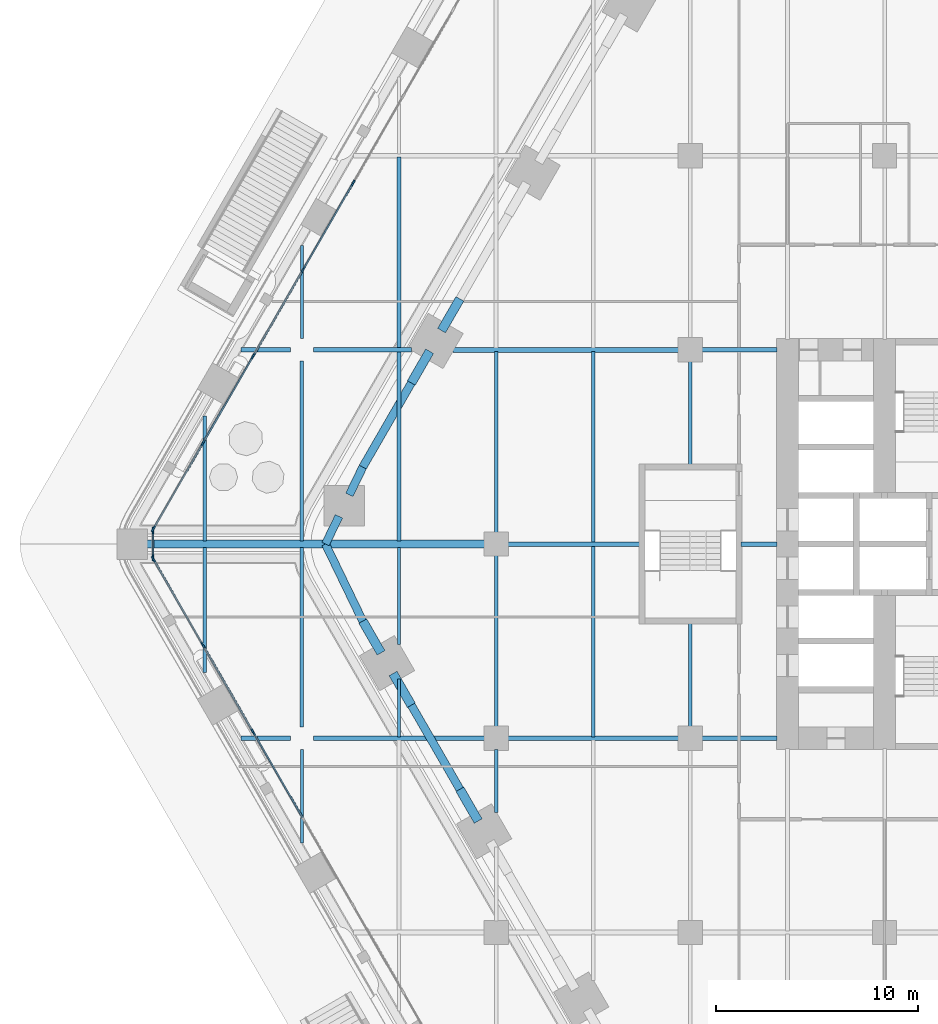
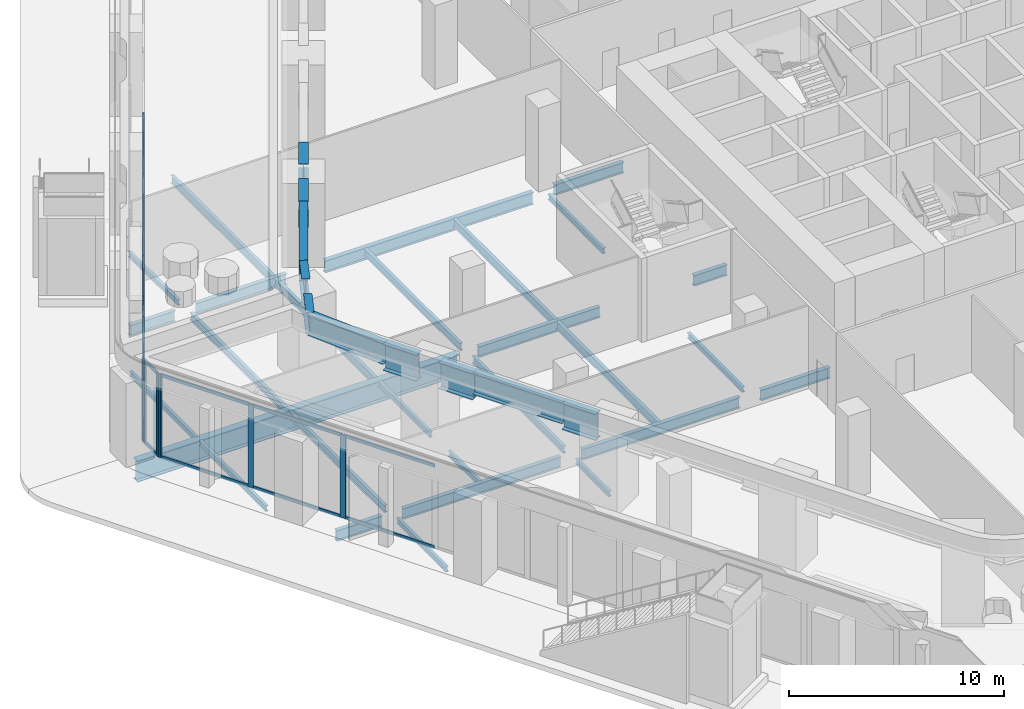
# One storey, part 4 of 34: 38 beams, 26 members, 3 elements without a shape of their own.
"""IFC4 building model written with IfcOpenShell, lengths in metres."""

from ifc_helpers import new_model, si_unit, direction, frame, origin, origin_2d, place, context, subcontext, project, spatial, rectangle, i_section, extrude, material, material_profile, profile_set, type_object, element, aggregate, save


model = new_model("IFC4")

# Units and contexts
model_context = context("Model", 3, precision=1e-05, world=origin(), true_north=direction((0.0, 1.0)))
body_context = subcontext(model_context, "Body", "Model", "MODEL_VIEW")
ifc_project = project(units=[si_unit("LENGTHUNIT", "METRE"), si_unit("AREAUNIT", "SQUARE_METRE"), si_unit("VOLUMEUNIT", "CUBIC_METRE"), si_unit("PLANEANGLEUNIT", "RADIAN"), si_unit("MASSUNIT", "GRAM", prefix="KILO")], contexts=[model_context])

# Site, building, storey
site_placement = place(None, origin())
site = spatial("IfcSite", under=ifc_project, at=site_placement, CompositionType="ELEMENT")
building_placement = place(site_placement, origin())
building = spatial("IfcBuilding", under=site, at=building_placement, Name="Kolab Exchange Tower", CompositionType="ELEMENT")
storey_placement = place(building_placement, frame((0.0, 0.0, 12.39990234375)))
storey = spatial("IfcBuildingStorey", under=building, at=storey_placement, Name="L02", CompositionType="ELEMENT", Elevation=12.39990234375)

# Beams
ifc_material_1 = material(Name="Steel S355", Category="steel")
ifc_material_profile_1 = material_profile(ifc_material_1, i_section(OverallWidth=0.1650390625, OverallDepth=0.31005859375, WebThickness=0.005859375, FlangeThickness=0.009765625, at=origin_2d()), Name="W310X39")
ifc_profile_set_1 = profile_set([ifc_material_profile_1], Name="Steel S355")
beam_type_1 = type_object("IfcBeamType", Name="FLOOR BEAM W310X39", PredefinedType="BEAM", material=ifc_profile_set_1)
for number, where, z_axis, x_axis, name in (
    (1, (-43.199951171875, -6.33642578125, -0.454833984375), (0.0, 1.0, 0.0), (-1.0, 0.0, 0.0), "beam/L02/fr/000"),
    (2, (-43.199951171875, 0.159912109375, -0.454833984375), (0.0, 1.0, 0.0), (-1.0, 0.0, 0.0), "beam/L02/fr/001"),
):
    element("IfcBeam", number, at=place(storey_placement, frame(where, z_axis=z_axis, x_axis=x_axis)), inside=storey, type_object=beam_type_1, Name=name, PredefinedType="BEAM", context=body_context, shape_type="SweptSolid", body=[
        extrude(i_section(OverallWidth=0.1650390625, OverallDepth=0.31005859375, WebThickness=0.005859375, FlangeThickness=0.009765625, at=origin_2d()), origin(), (0.0, 0.0, 1.0), 6.176513671875),
    ])
for number, where, z_axis, x_axis, name in (
    (3, (-38.39990234375, -14.767578125, -0.454833984375), (0.0, 1.0, 0.0), (-1.0, 0.0, 0.0), "beam/L02/fr/002"),
    (4, (-38.39990234375, 10.159912109375, -0.454833984375), (0.0, 1.0, 0.0), (-1.0, 0.0, 0.0), "beam/L02/fr/005"),
):
    element("IfcBeam", number, at=place(storey_placement, frame(where, z_axis=z_axis, x_axis=x_axis)), inside=storey, type_object=beam_type_1, Name=name, PredefinedType="BEAM", context=body_context, shape_type="SweptSolid", body=[
        extrude(i_section(OverallWidth=0.1650390625, OverallDepth=0.31005859375, WebThickness=0.005859375, FlangeThickness=0.009765625, at=origin_2d()), origin(), (0.0, 0.0, 1.0), 4.607666015625),
    ])
beam_1_placement = place(storey_placement, frame((-33.60009765625, -9.52587890625, -0.454833984375), z_axis=(0.0, 1.0, 0.0), x_axis=(-1.0, 0.0, 0.0)))
element("IfcBeam", 5, at=beam_1_placement, inside=storey, type_object=beam_type_1, Name="beam/L02/fr/008", PredefinedType="BEAM", context=body_context, shape_type="SweptSolid", body=[
    extrude(i_section(OverallWidth=0.1650390625, OverallDepth=0.31005859375, WebThickness=0.005859375, FlangeThickness=0.009765625, at=origin_2d()), origin(), (0.0, 0.0, 1.0), 2.86865234375),
])
beam_2_placement = place(storey_placement, frame((-33.60009765625, -4.953857421875, -0.454833984375), z_axis=(0.0, 1.0, 0.0), x_axis=(-1.0, 0.0, 0.0)))
element("IfcBeam", 6, at=beam_2_placement, inside=storey, type_object=beam_type_1, Name="beam/L02/fr/009", PredefinedType="BEAM", context=body_context, shape_type="SweptSolid", body=[
    extrude(i_section(OverallWidth=0.1650390625, OverallDepth=0.31005859375, WebThickness=0.005859375, FlangeThickness=0.009765625, at=origin_2d()), origin(), (0.0, 0.0, 1.0), 4.7939453125),
])
beam_3_placement = place(storey_placement, frame((-28.800048828125, -13.267578125, -0.454833984375), z_axis=(0.0, 1.0, 0.0), x_axis=(-1.0, 0.0, 0.0)))
element("IfcBeam", 7, at=beam_3_placement, inside=storey, type_object=beam_type_1, Name="beam/L02/fr/016", PredefinedType="BEAM", context=body_context, shape_type="SweptSolid", body=[
    extrude(i_section(OverallWidth=0.1650390625, OverallDepth=0.31005859375, WebThickness=0.005859375, FlangeThickness=0.009765625, at=origin_2d()), origin(), (0.0, 0.0, 1.0), 3.107666015625),
])
for number, where, z_axis, x_axis, name in (
    (8, (-19.199951171875, -9.0400390625, -0.454833984375), (0.0, 1.0, 0.0), (-1.0, 0.0, 0.0), "beam/L02/fr/034"),
    (9, (-19.199951171875, 3.909912109375, -0.454833984375), (0.0, 1.0, 0.0), (-1.0, 0.0, 0.0), "beam/L02/fr/035"),
):
    element("IfcBeam", number, at=place(storey_placement, frame(where, z_axis=z_axis, x_axis=x_axis)), inside=storey, type_object=beam_type_1, Name=name, PredefinedType="BEAM", context=body_context, shape_type="SweptSolid", body=[
        extrude(i_section(OverallWidth=0.1650390625, OverallDepth=0.31005859375, WebThickness=0.005859375, FlangeThickness=0.009765625, at=origin_2d()), origin(), (0.0, 0.0, 1.0), 5.130126953125),
    ])
ifc_material_profile_2 = material_profile(ifc_material_1, i_section(OverallWidth=0.177978515625, OverallDepth=0.406982421875, WebThickness=0.0078125, FlangeThickness=0.0126953125, at=origin_2d()), Name="W410X60")
ifc_profile_set_2 = profile_set([ifc_material_profile_2], Name="Steel S355")
beam_type_2 = type_object("IfcBeamType", Name="FLOOR BEAM W410X60", PredefinedType="BEAM", material=ifc_profile_set_2)
for number, where, z_axis, x_axis, name in (
    (10, (-38.39990234375, -9.0400390625, -0.50341796875), (0.0, 1.0, 0.0), (-1.0, 0.0, 0.0), "beam/L02/fr/003"),
    (11, (-38.39990234375, 0.159912109375, -0.50341796875), (0.0, 1.0, 0.0), (-1.0, 0.0, 0.0), "beam/L02/fr/004"),
):
    element("IfcBeam", number, at=place(storey_placement, frame(where, z_axis=z_axis, x_axis=x_axis)), inside=storey, type_object=beam_type_2, Name=name, PredefinedType="BEAM", context=body_context, shape_type="SweptSolid", body=[
        extrude(i_section(OverallWidth=0.177978515625, OverallDepth=0.406982421875, WebThickness=0.0078125, FlangeThickness=0.0126953125, at=origin_2d()), origin(), (0.0, 0.0, 1.0), 8.880126953125),
    ])
beam_4_placement = place(storey_placement, frame((-28.800048828125, -9.0400390625, -0.50341796875), z_axis=(0.0, 1.0, 0.0), x_axis=(-1.0, 0.0, 0.0)))
element("IfcBeam", 12, at=beam_4_placement, inside=storey, type_object=beam_type_2, Name="beam/L02/fr/017", PredefinedType="BEAM", context=body_context, shape_type="SweptSolid", body=[
    extrude(i_section(OverallWidth=0.177978515625, OverallDepth=0.406982421875, WebThickness=0.0078125, FlangeThickness=0.0126953125, at=origin_2d()), origin(), (0.0, 0.0, 1.0), 8.47998046875),
])
beam_5_placement = place(storey_placement, frame((-28.800048828125, 0.56005859375, -0.50341796875), z_axis=(0.0, 1.0, 0.0), x_axis=(-1.0, 0.0, 0.0)))
element("IfcBeam", 13, at=beam_5_placement, inside=storey, type_object=beam_type_2, Name="beam/L02/fr/018", PredefinedType="BEAM", context=body_context, shape_type="SweptSolid", body=[
    extrude(i_section(OverallWidth=0.177978515625, OverallDepth=0.406982421875, WebThickness=0.0078125, FlangeThickness=0.0126953125, at=origin_2d()), origin(), (0.0, 0.0, 1.0), 8.952880859375),
])
ifc_material_profile_3 = material_profile(ifc_material_1, i_section(OverallWidth=0.18994140625, OverallDepth=0.45703125, WebThickness=0.009033203125, FlangeThickness=0.014404296875, at=origin_2d()), Name="W460X74")
ifc_profile_set_3 = profile_set([ifc_material_profile_3], Name="Steel S355")
beam_type_3 = type_object("IfcBeamType", Name="FLOOR BEAM W460X74", PredefinedType="BEAM", material=ifc_profile_set_3)
beam_6_placement = place(storey_placement, frame((-33.60009765625, 0.159912109375, -0.5283203125), z_axis=(0.0, 1.0, 0.0), x_axis=(-1.0, 0.0, 0.0)))
element("IfcBeam", 14, at=beam_6_placement, inside=storey, type_object=beam_type_3, Name="beam/L02/fr/010", PredefinedType="BEAM", context=body_context, shape_type="SweptSolid", body=[
    extrude(i_section(OverallWidth=0.18994140625, OverallDepth=0.45703125, WebThickness=0.009033203125, FlangeThickness=0.014404296875, at=origin_2d()), origin(), (0.0, 0.0, 1.0), 9.365966796875),
])
for number, where, z_axis, x_axis, name in (
    (15, (-33.60009765625, 9.674072265625, -0.5283203125), (0.0, 1.0, 0.0), (-1.0, 0.0, 0.0), "beam/L02/fr/011"),
    (16, (-24.0, -9.52587890625, -0.5283203125), (0.0, 1.0, 0.0), (-1.0, 0.0, 0.0), "beam/L02/fr/026"),
):
    element("IfcBeam", number, at=place(storey_placement, frame(where, z_axis=z_axis, x_axis=x_axis)), inside=storey, type_object=beam_type_3, Name=name, PredefinedType="BEAM", context=body_context, shape_type="SweptSolid", body=[
        extrude(i_section(OverallWidth=0.18994140625, OverallDepth=0.45703125, WebThickness=0.009033203125, FlangeThickness=0.014404296875, at=origin_2d()), origin(), (0.0, 0.0, 1.0), 9.451904296875),
    ])
beam_7_placement = place(storey_placement, frame((-24.0, 0.073974609375, -0.5283203125), z_axis=(0.0, 1.0, 0.0), x_axis=(-1.0, 0.0, 0.0)))
element("IfcBeam", 17, at=beam_7_placement, inside=storey, type_object=beam_type_3, Name="beam/L02/fr/027", PredefinedType="BEAM", context=body_context, shape_type="SweptSolid", body=[
    extrude(i_section(OverallWidth=0.18994140625, OverallDepth=0.45703125, WebThickness=0.009033203125, FlangeThickness=0.014404296875, at=origin_2d()), origin(), (0.0, 0.0, 1.0), 9.43896484375),
])
ifc_material_profile_4 = material_profile(ifc_material_1, i_section(OverallWidth=0.39990234375, OverallDepth=1.199951171875, WebThickness=0.02490234375, FlangeThickness=0.0400390625, at=origin_2d()), Name="PG1200X400")
ifc_profile_set_4 = profile_set([ifc_material_profile_4], Name="Steel S355")
beam_type_4 = type_object("IfcBeamType", Name="FLOOR GIRDER PG1200X400", PredefinedType="BEAM", material=ifc_profile_set_4)
beam_8_placement = place(storey_placement, frame((-46.59912109375, 0.0, -0.89990234375), z_axis=(1.0, 0.0, 0.0), x_axis=(0.0, 1.0, 0.0)))
element("IfcBeam", 18, at=beam_8_placement, inside=storey, type_object=beam_type_4, Name="beam/L02/gd/000", PredefinedType="BEAM", context=body_context, shape_type="SweptSolid", body=[
    extrude(i_section(OverallWidth=0.39990234375, OverallDepth=1.199951171875, WebThickness=0.02490234375, FlangeThickness=0.0400390625, at=origin_2d()), origin(), (0.0, 0.0, 1.0), 17.239013671875),
])
ifc_material_profile_5 = material_profile(ifc_material_1, i_section(OverallWidth=0.22802734375, OverallDepth=0.60791015625, WebThickness=0.01123046875, FlangeThickness=0.017333984375, at=origin_2d()), Name="W610X113")
ifc_profile_set_5 = profile_set([ifc_material_profile_5], Name="Steel S355")
beam_type_5 = type_object("IfcBeamType", Name="FLOOR GIRDER W610X113", PredefinedType="BEAM", material=ifc_profile_set_5)
for number, where, z_axis, x_axis, name in (
    (19, (-41.400390625, -9.60009765625, -0.60400390625), (1.0, 0.0, 0.0), (0.0, 1.0, 0.0), "beam/L02/gd/001"),
    (20, (-41.400390625, 9.60009765625, -0.60400390625), (1.0, 0.0, 0.0), (0.0, 1.0, 0.0), "beam/L02/gd/002"),
):
    element("IfcBeam", number, at=place(storey_placement, frame(where, z_axis=z_axis, x_axis=x_axis)), inside=storey, type_object=beam_type_5, Name=name, PredefinedType="BEAM", context=body_context, shape_type="SweptSolid", body=[
        extrude(i_section(OverallWidth=0.22802734375, OverallDepth=0.60791015625, WebThickness=0.01123046875, FlangeThickness=0.017333984375, at=origin_2d()), origin(), (0.0, 0.0, 1.0), 2.4404296875),
    ])
beam_9_placement = place(storey_placement, frame((-37.840087890625, -9.60009765625, -0.60400390625), z_axis=(1.0, 0.0, 0.0), x_axis=(0.0, 1.0, 0.0)))
element("IfcBeam", 21, at=beam_9_placement, inside=storey, type_object=beam_type_5, Name="beam/L02/gd/003", PredefinedType="BEAM", context=body_context, shape_type="SweptSolid", body=[
    extrude(i_section(OverallWidth=0.22802734375, OverallDepth=0.60791015625, WebThickness=0.01123046875, FlangeThickness=0.017333984375, at=origin_2d()), origin(), (0.0, 0.0, 1.0), 8.47998046875),
])
beam_10_placement = place(storey_placement, frame((-37.840087890625, 9.60009765625, -0.60400390625), z_axis=(1.0, 0.0, 0.0), x_axis=(0.0, 1.0, 0.0)))
element("IfcBeam", 22, at=beam_10_placement, inside=storey, type_object=beam_type_5, Name="beam/L02/gd/004", PredefinedType="BEAM", context=body_context, shape_type="SweptSolid", body=[
    extrude(i_section(OverallWidth=0.22802734375, OverallDepth=0.60791015625, WebThickness=0.01123046875, FlangeThickness=0.017333984375, at=origin_2d()), origin(), (0.0, 0.0, 1.0), 4.852294921875),
])
beam_11_placement = place(storey_placement, frame((-28.239990234375, -9.60009765625, -0.60400390625), z_axis=(1.0, 0.0, 0.0), x_axis=(0.0, 1.0, 0.0)))
element("IfcBeam", 23, at=beam_11_placement, inside=storey, type_object=beam_type_5, Name="beam/L02/gd/011", PredefinedType="BEAM", context=body_context, shape_type="SweptSolid", body=[
    extrude(i_section(OverallWidth=0.22802734375, OverallDepth=0.60791015625, WebThickness=0.01123046875, FlangeThickness=0.017333984375, at=origin_2d()), origin(), (0.0, 0.0, 1.0), 8.47998046875),
])
beam_12_placement = place(storey_placement, frame((-28.239990234375, 0.0, -0.60400390625), z_axis=(1.0, 0.0, 0.0), x_axis=(0.0, 1.0, 0.0)))
element("IfcBeam", 24, at=beam_12_placement, inside=storey, type_object=beam_type_5, Name="beam/L02/gd/012", PredefinedType="BEAM", context=body_context, shape_type="SweptSolid", body=[
    extrude(i_section(OverallWidth=0.22802734375, OverallDepth=0.60791015625, WebThickness=0.01123046875, FlangeThickness=0.017333984375, at=origin_2d()), origin(), (0.0, 0.0, 1.0), 6.530029296875),
])
for number, where, z_axis, x_axis, name in (
    (25, (-18.639892578125, -9.60009765625, -0.60400390625), (1.0, 0.0, 0.0), (0.0, 1.0, 0.0), "beam/L02/gd/015"),
    (26, (-18.639892578125, 9.60009765625, -0.60400390625), (1.0, 0.0, 0.0), (0.0, 1.0, 0.0), "beam/L02/gd/016"),
):
    element("IfcBeam", number, at=place(storey_placement, frame(where, z_axis=z_axis, x_axis=x_axis)), inside=storey, type_object=beam_type_5, Name=name, PredefinedType="BEAM", context=body_context, shape_type="SweptSolid", body=[
        extrude(i_section(OverallWidth=0.22802734375, OverallDepth=0.60791015625, WebThickness=0.01123046875, FlangeThickness=0.017333984375, at=origin_2d()), origin(), (0.0, 0.0, 1.0), 3.72998046875),
    ])
beam_13_placement = place(storey_placement, frame((-16.68994140625, 0.0, -0.60400390625), z_axis=(1.0, 0.0, 0.0), x_axis=(0.0, 1.0, 0.0)))
element("IfcBeam", 27, at=beam_13_placement, inside=storey, type_object=beam_type_5, Name="beam/L02/gd/018", PredefinedType="BEAM", context=body_context, shape_type="SweptSolid", body=[
    extrude(i_section(OverallWidth=0.22802734375, OverallDepth=0.60791015625, WebThickness=0.01123046875, FlangeThickness=0.017333984375, at=origin_2d()), origin(), (0.0, 0.0, 1.0), 1.780029296875),
])
ifc_material_profile_6 = material_profile(ifc_material_1, i_section(OverallWidth=0.25390625, OverallDepth=0.68408203125, WebThickness=0.012451171875, FlangeThickness=0.018798828125, at=origin_2d()), Name="W690X140")
ifc_profile_set_6 = profile_set([ifc_material_profile_6], Name="Steel S355")
beam_type_6 = type_object("IfcBeamType", Name="FLOOR GIRDER W690X140", PredefinedType="BEAM", material=ifc_profile_set_6)
beam_14_placement = place(storey_placement, frame((-30.934326171875, 9.60009765625, -0.641845703125), z_axis=(1.0, 0.0, 0.0), x_axis=(0.0, 1.0, 0.0)))
element("IfcBeam", 28, at=beam_14_placement, inside=storey, type_object=beam_type_6, Name="beam/L02/gd/007", PredefinedType="BEAM", context=body_context, shape_type="SweptSolid", body=[
    extrude(i_section(OverallWidth=0.25390625, OverallDepth=0.68408203125, WebThickness=0.012451171875, FlangeThickness=0.018798828125, at=origin_2d()), origin(), (0.0, 0.0, 1.0), 11.17431640625),
])

# Curtain wall, members
ifc_material_2 = material(Name="Aluminium EN AW-6063 T6", Category="aluminium")
curtain_wall_type = type_object("IfcCurtainWallType", Name="PODIUM STRUCTURAL GLAZING CURTAIN WALL", PredefinedType="NOTDEFINED", material=ifc_material_2)
curtain_wall_1_placement = place(storey_placement, origin())
curtain_wall_1 = element("IfcCurtainWall", 29, at=curtain_wall_1_placement, inside=storey, type_object=curtain_wall_type, Name="cw/L02/F5-1", PredefinedType="NOTDEFINED")
ifc_material_profile_7 = material_profile(ifc_material_2, rectangle(XDim=0.080078125, YDim=0.300048828125, at=origin_2d()), Name="RECT 80X300")
ifc_profile_set_7 = profile_set([ifc_material_profile_7], Name="Aluminium EN AW-6063 T6")
member_type_1 = type_object("IfcMemberType", Name="PODIUM STRUCTURAL GLAZING MULLION 80 X 300", PredefinedType="MULLION", material=ifc_profile_set_7)
member_1_placement = place(storey_placement, frame((-40.817138671875, -9.281005859375, 0.0), z_axis=(0.0, 0.0, 1.0), x_axis=(-0.866025403514, -0.500000000469, 0.0)))
member_1 = element("IfcMember", 30, at=member_1_placement, type_object=member_type_1, Name="CW5 mullion 8", PredefinedType="MULLION", context=body_context, shape_type="SweptSolid", body=[
    extrude(rectangle(XDim=0.080078125, YDim=0.300048828125, at=origin_2d()), origin(), (0.0, 0.0, 1.0), 4.7001953125),
])
member_2_placement = place(storey_placement, frame((-43.29150390625, -4.995361328125, 0.0), z_axis=(0.0, 0.0, 1.0), x_axis=(-0.866025403514, -0.500000000469, 0.0)))
member_2 = element("IfcMember", 31, at=member_2_placement, type_object=member_type_1, Name="CW5 mullion 9", PredefinedType="MULLION", context=body_context, shape_type="SweptSolid", body=[
    extrude(rectangle(XDim=0.080078125, YDim=0.300048828125, at=origin_2d()), origin(), (0.0, 0.0, 1.0), 4.7001953125),
])
member_3_placement = place(storey_placement, frame((-45.74560546875, -0.74462890625, 0.0), z_axis=(0.0, 0.0, 1.0), x_axis=(-0.866025403514, -0.500000000469, 0.0)))
member_3 = element("IfcMember", 32, at=member_3_placement, type_object=member_type_1, Name="CW5 mullion 10", PredefinedType="MULLION", context=body_context, shape_type="SweptSolid", body=[
    extrude(rectangle(XDim=0.080078125, YDim=0.300048828125, at=origin_2d()), origin(), (0.0, 0.0, 1.0), 4.7001953125),
])

curtain_wall_2_placement = place(storey_placement, origin())
curtain_wall_2 = element("IfcCurtainWall", 33, at=curtain_wall_2_placement, inside=storey, type_object=curtain_wall_type, Name="cw/L02/F6-1", PredefinedType="NOTDEFINED")
member_4_placement = place(storey_placement, frame((-45.74560546875, 0.74462890625, 0.0), z_axis=(0.0, 0.0, 1.0), x_axis=(-0.866025403514, 0.500000000469, 0.0)))
member_4 = element("IfcMember", 34, at=member_4_placement, type_object=member_type_1, Name="CW5 mullion 1", PredefinedType="MULLION", context=body_context, shape_type="SweptSolid", body=[
    extrude(rectangle(XDim=0.080078125, YDim=0.300048828125, at=origin_2d()), origin(), (0.0, 0.0, 1.0), 4.7001953125),
])
member_5_placement = place(storey_placement, frame((-43.29150390625, 4.995361328125, 0.0), z_axis=(0.0, 0.0, 1.0), x_axis=(-0.866025403514, 0.500000000469, 0.0)))
member_5 = element("IfcMember", 35, at=member_5_placement, type_object=member_type_1, Name="CW5 mullion 2", PredefinedType="MULLION", context=body_context, shape_type="SweptSolid", body=[
    extrude(rectangle(XDim=0.080078125, YDim=0.300048828125, at=origin_2d()), origin(), (0.0, 0.0, 1.0), 4.7001953125),
])
member_6_placement = place(storey_placement, frame((-40.817138671875, 9.281005859375, 0.0), z_axis=(0.0, 0.0, 1.0), x_axis=(-0.866025403514, 0.500000000469, 0.0)))
member_6 = element("IfcMember", 36, at=member_6_placement, type_object=member_type_1, Name="CW5 mullion 3", PredefinedType="MULLION", context=body_context, shape_type="SweptSolid", body=[
    extrude(rectangle(XDim=0.080078125, YDim=0.300048828125, at=origin_2d()), origin(), (0.0, 0.0, 1.0), 4.7001953125),
])
member_7_placement = place(storey_placement, frame((-38.343017578125, 13.56640625, 0.0), z_axis=(0.0, 0.0, 1.0), x_axis=(-0.866025403514, 0.500000000469, 0.0)))
member_7 = element("IfcMember", 37, at=member_7_placement, type_object=member_type_1, Name="CW5 mullion 4", PredefinedType="MULLION", context=body_context, shape_type="SweptSolid", body=[
    extrude(rectangle(XDim=0.080078125, YDim=0.300048828125, at=origin_2d()), origin(), (0.0, 0.0, 1.0), 4.7001953125),
])
member_8_placement = place(storey_placement, frame((-35.868896484375, 17.851806640625, 0.0), z_axis=(0.0, 0.0, 1.0), x_axis=(-0.866025403514, 0.500000000469, 0.0)))
member_8 = element("IfcMember", 38, at=member_8_placement, type_object=member_type_1, Name="CW5 mullion 5", PredefinedType="MULLION", context=body_context, shape_type="SweptSolid", body=[
    extrude(rectangle(XDim=0.080078125, YDim=0.300048828125, at=origin_2d()), origin(), (0.0, 0.0, 1.0), 4.7001953125),
])

curtain_wall_3_placement = place(storey_placement, origin())
curtain_wall_3 = element("IfcCurtainWall", 39, at=curtain_wall_3_placement, inside=storey, type_object=curtain_wall_type, Name="cw/L02/F5F6-corner", PredefinedType="NOTDEFINED")
member_9_placement = place(storey_placement, frame((-45.765625, -0.669921875, 0.0), z_axis=(0.0, 0.0, 1.0), x_axis=(-1.0, 0.0, 0.0)))
member_9 = element("IfcMember", 40, at=member_9_placement, type_object=member_type_1, Name="CW5 mullion 1", PredefinedType="MULLION", context=body_context, shape_type="SweptSolid", body=[
    extrude(rectangle(XDim=0.080078125, YDim=0.300048828125, at=origin_2d()), origin(), (0.0, 0.0, 1.0), 4.7001953125),
])
member_10_placement = place(storey_placement, frame((-45.765625, 0.669921875, 0.0), z_axis=(0.0, 0.0, 1.0), x_axis=(-1.0, 0.0, 0.0)))
member_10 = element("IfcMember", 41, at=member_10_placement, type_object=member_type_1, Name="CW5 mullion 2", PredefinedType="MULLION", context=body_context, shape_type="SweptSolid", body=[
    extrude(rectangle(XDim=0.080078125, YDim=0.300048828125, at=origin_2d()), origin(), (0.0, 0.0, 1.0), 4.7001953125),
])

# Member
ifc_material_profile_8 = material_profile(ifc_material_2, rectangle(XDim=0.080078125, YDim=0.179931640625, at=origin_2d()), Name="RECT 80X180")
ifc_profile_set_8 = profile_set([ifc_material_profile_8], Name="Aluminium EN AW-6063 T6")
member_type_2 = type_object("IfcMemberType", Name="PODIUM STRUCTURAL GLAZING TRANSOM 80 X 180", PredefinedType="USERDEFINED", material=ifc_profile_set_8)
member_11_placement = place(storey_placement, frame((-38.363037109375, -13.53173828125, 0.0400390625), z_axis=(-0.499990153172, 0.866031088779, 0.0), x_axis=(-0.866031088779, -0.499990153172, 0.0)))
member_11 = element("IfcMember", 42, at=member_11_placement, type_object=member_type_2, Name="CW5 transom 7.1", ObjectType="TRANSOM", PredefinedType="USERDEFINED", context=body_context, shape_type="SweptSolid", body=[
    extrude(rectangle(XDim=0.080078125, YDim=0.179931640625, at=origin_2d()), origin(), (0.0, 0.0, 1.0), 4.8681640625),
])

member_12_placement = place(storey_placement, frame((-38.363037109375, -13.53173828125, 4.66015625), z_axis=(-0.499990153172, 0.866031088779, 0.0), x_axis=(-0.866031088779, -0.499990153172, 0.0)))
member_12 = element("IfcMember", 43, at=member_12_placement, type_object=member_type_2, Name="CW5 transom 7.2", ObjectType="TRANSOM", PredefinedType="USERDEFINED", context=body_context, shape_type="SweptSolid", body=[
    extrude(rectangle(XDim=0.080078125, YDim=0.179931640625, at=origin_2d()), origin(), (0.0, 0.0, 1.0), 4.8681640625),
])

member_13_placement = place(storey_placement, frame((-40.837158203125, -9.246337890625, 0.0400390625), z_axis=(-0.50000604952, 0.866021911064, 0.0), x_axis=(-0.866021911064, -0.50000604952, 0.0)))
member_13 = element("IfcMember", 44, at=member_13_placement, type_object=member_type_2, Name="CW5 transom 8.1", ObjectType="TRANSOM", PredefinedType="USERDEFINED", context=body_context, shape_type="SweptSolid", body=[
    extrude(rectangle(XDim=0.080078125, YDim=0.179931640625, at=origin_2d()), origin(), (0.0, 0.0, 1.0), 4.86865234375),
])

member_14_placement = place(storey_placement, frame((-40.837158203125, -9.246337890625, 4.66015625), z_axis=(-0.50000604952, 0.866021911064, 0.0), x_axis=(-0.866021911064, -0.50000604952, 0.0)))
member_14 = element("IfcMember", 45, at=member_14_placement, type_object=member_type_2, Name="CW5 transom 8.2", ObjectType="TRANSOM", PredefinedType="USERDEFINED", context=body_context, shape_type="SweptSolid", body=[
    extrude(rectangle(XDim=0.080078125, YDim=0.179931640625, at=origin_2d()), origin(), (0.0, 0.0, 1.0), 4.86865234375),
])

member_15_placement = place(storey_placement, frame((-43.3115234375, -4.9609375, 0.0400390625), z_axis=(-0.499967560512, 0.866044131922, 0.0), x_axis=(-0.866044131922, -0.499967560512, 0.0)))
member_15 = element("IfcMember", 46, at=member_15_placement, type_object=member_type_2, Name="CW5 transom 9.1", ObjectType="TRANSOM", PredefinedType="USERDEFINED", context=body_context, shape_type="SweptSolid", body=[
    extrude(rectangle(XDim=0.080078125, YDim=0.179931640625, at=origin_2d()), origin(), (0.0, 0.0, 1.0), 4.828369140625),
])

member_16_placement = place(storey_placement, frame((-43.3115234375, -4.9609375, 4.66015625), z_axis=(-0.499967560512, 0.866044131922, 0.0), x_axis=(-0.866044131922, -0.499967560512, 0.0)))
member_16 = element("IfcMember", 47, at=member_16_placement, type_object=member_type_2, Name="CW5 transom 9.2", ObjectType="TRANSOM", PredefinedType="USERDEFINED", context=body_context, shape_type="SweptSolid", body=[
    extrude(rectangle(XDim=0.080078125, YDim=0.179931640625, at=origin_2d()), origin(), (0.0, 0.0, 1.0), 4.828369140625),
])

aggregate(curtain_wall_1, [member_1, member_2, member_3, member_11, member_12, member_13, member_14, member_15, member_16])

member_17_placement = place(storey_placement, frame((-45.7255859375, 0.779296875, 0.0400390625), z_axis=(0.499967560512, 0.866044131922, 0.0), x_axis=(-0.866044131922, 0.499967560512, 0.0)))
member_17 = element("IfcMember", 48, at=member_17_placement, type_object=member_type_2, Name="CW5 transom 1.1", ObjectType="TRANSOM", PredefinedType="USERDEFINED", context=body_context, shape_type="SweptSolid", body=[
    extrude(rectangle(XDim=0.080078125, YDim=0.179931640625, at=origin_2d()), origin(), (0.0, 0.0, 1.0), 4.828369140625),
])

member_18_placement = place(storey_placement, frame((-45.7255859375, 0.779296875, 4.66015625), z_axis=(0.499967560512, 0.866044131922, 0.0), x_axis=(-0.866044131922, 0.499967560512, 0.0)))
member_18 = element("IfcMember", 49, at=member_18_placement, type_object=member_type_2, Name="CW5 transom 1.2", ObjectType="TRANSOM", PredefinedType="USERDEFINED", context=body_context, shape_type="SweptSolid", body=[
    extrude(rectangle(XDim=0.080078125, YDim=0.179931640625, at=origin_2d()), origin(), (0.0, 0.0, 1.0), 4.828369140625),
])

member_19_placement = place(storey_placement, frame((-43.271484375, 5.030029296875, 0.0400390625), z_axis=(0.50000604952, 0.866021911064, 0.0), x_axis=(-0.866021911064, 0.50000604952, 0.0)))
member_19 = element("IfcMember", 50, at=member_19_placement, type_object=member_type_2, Name="CW5 transom 2.1", ObjectType="TRANSOM", PredefinedType="USERDEFINED", context=body_context, shape_type="SweptSolid", body=[
    extrude(rectangle(XDim=0.080078125, YDim=0.179931640625, at=origin_2d()), origin(), (0.0, 0.0, 1.0), 4.86865234375),
])

member_20_placement = place(storey_placement, frame((-43.271484375, 5.030029296875, 4.66015625), z_axis=(0.50000604952, 0.866021911064, 0.0), x_axis=(-0.866021911064, 0.50000604952, 0.0)))
member_20 = element("IfcMember", 51, at=member_20_placement, type_object=member_type_2, Name="CW5 transom 2.2", ObjectType="TRANSOM", PredefinedType="USERDEFINED", context=body_context, shape_type="SweptSolid", body=[
    extrude(rectangle(XDim=0.080078125, YDim=0.179931640625, at=origin_2d()), origin(), (0.0, 0.0, 1.0), 4.86865234375),
])

member_21_placement = place(storey_placement, frame((-40.797119140625, 9.315673828125, 0.0400390625), z_axis=(0.499990153172, 0.866031088779, 0.0), x_axis=(-0.866031088779, 0.499990153172, 0.0)))
member_21 = element("IfcMember", 52, at=member_21_placement, type_object=member_type_2, Name="CW5 transom 3.1", ObjectType="TRANSOM", PredefinedType="USERDEFINED", context=body_context, shape_type="SweptSolid", body=[
    extrude(rectangle(XDim=0.080078125, YDim=0.179931640625, at=origin_2d()), origin(), (0.0, 0.0, 1.0), 4.8681640625),
])

member_22_placement = place(storey_placement, frame((-40.797119140625, 9.315673828125, 4.66015625), z_axis=(0.499990153172, 0.866031088779, 0.0), x_axis=(-0.866031088779, 0.499990153172, 0.0)))
member_22 = element("IfcMember", 53, at=member_22_placement, type_object=member_type_2, Name="CW5 transom 3.2", ObjectType="TRANSOM", PredefinedType="USERDEFINED", context=body_context, shape_type="SweptSolid", body=[
    extrude(rectangle(XDim=0.080078125, YDim=0.179931640625, at=origin_2d()), origin(), (0.0, 0.0, 1.0), 4.8681640625),
])

member_23_placement = place(storey_placement, frame((-38.322998046875, 13.60107421875, 0.0400390625), z_axis=(0.500027764349, 0.866009373437, 0.0), x_axis=(-0.866009373437, 0.500027764349, 0.0)))
member_23 = element("IfcMember", 54, at=member_23_placement, type_object=member_type_2, Name="CW5 transom 4.1", ObjectType="TRANSOM", PredefinedType="USERDEFINED", context=body_context, shape_type="SweptSolid", body=[
    extrude(rectangle(XDim=0.080078125, YDim=0.179931640625, at=origin_2d()), origin(), (0.0, 0.0, 1.0), 4.868408203125),
])

member_24_placement = place(storey_placement, frame((-38.322998046875, 13.60107421875, 4.66015625), z_axis=(0.500027764349, 0.866009373437, 0.0), x_axis=(-0.866009373437, 0.500027764349, 0.0)))
member_24 = element("IfcMember", 55, at=member_24_placement, type_object=member_type_2, Name="CW5 transom 4.2", ObjectType="TRANSOM", PredefinedType="USERDEFINED", context=body_context, shape_type="SweptSolid", body=[
    extrude(rectangle(XDim=0.080078125, YDim=0.179931640625, at=origin_2d()), origin(), (0.0, 0.0, 1.0), 4.868408203125),
])

aggregate(curtain_wall_2, [member_4, member_5, member_6, member_7, member_8, member_17, member_18, member_19, member_20, member_21, member_22, member_23, member_24])

member_25_placement = place(storey_placement, frame((-45.765625, -0.6298828125, 0.0400390625), z_axis=(0.0, 1.0, 0.0), x_axis=(-1.0, 0.0, 0.0)))
member_25 = element("IfcMember", 56, at=member_25_placement, type_object=member_type_2, Name="CW5 transom 1.1", ObjectType="TRANSOM", PredefinedType="USERDEFINED", context=body_context, shape_type="SweptSolid", body=[
    extrude(rectangle(XDim=0.080078125, YDim=0.179931640625, at=origin_2d()), origin(), (0.0, 0.0, 1.0), 1.259765625),
])

member_26_placement = place(storey_placement, frame((-45.765625, -0.6298828125, 4.66015625), z_axis=(0.0, 1.0, 0.0), x_axis=(-1.0, 0.0, 0.0)))
member_26 = element("IfcMember", 57, at=member_26_placement, type_object=member_type_2, Name="CW5 transom 1.2", ObjectType="TRANSOM", PredefinedType="USERDEFINED", context=body_context, shape_type="SweptSolid", body=[
    extrude(rectangle(XDim=0.080078125, YDim=0.179931640625, at=origin_2d()), origin(), (0.0, 0.0, 1.0), 1.259765625),
])

aggregate(curtain_wall_3, [member_9, member_10, member_25, member_26])

# Beams
ifc_material_profile_9 = material_profile(ifc_material_1, i_section(OverallWidth=0.39990234375, OverallDepth=1.199951171875, WebThickness=0.02490234375, FlangeThickness=0.0400390625, at=origin_2d()), Name="PG1200X400")
ifc_profile_set_9 = profile_set([ifc_material_profile_9], Name="Steel S355")
beam_type_7 = type_object("IfcBeamType", Name="TRANSFER GIRDER PG1200X400", PredefinedType="BEAM", material=ifc_profile_set_9)
for number, where, z_axis, x_axis, name in (
    (58, (-36.57177734375, 1.372314453125, 4.150146484375), (-0.435581856958, -0.900149124251, 0.0), (0.900149124251, -0.435581856958, 0.0), "beam/L02/tg/T-F6-01"),
    (59, (-36.057861328125, 2.4345703125, 4.150146484375), (0.435581856958, 0.900149124251, 0.0), (-0.900149124251, 0.435581856958, 0.0), "beam/L02/tg/T-F6-02"),
):
    element("IfcBeam", number, at=place(storey_placement, frame(where, z_axis=z_axis, x_axis=x_axis)), inside=storey, type_object=beam_type_7, Name=name, PredefinedType="BEAM", context=body_context, shape_type="SweptSolid", body=[
        extrude(i_section(OverallWidth=0.39990234375, OverallDepth=1.199951171875, WebThickness=0.02490234375, FlangeThickness=0.0400390625, at=origin_2d()), origin(), (0.0, 0.0, 1.0), 1.524658203125),
    ])
beam_15_placement = place(storey_placement, frame((-30.59375, -12.120849609375, 4.150146484375), z_axis=(-0.500017431331, 0.866015339567, 0.0), x_axis=(-0.866015339567, -0.500017431331, 0.0)))
element("IfcBeam", 60, at=beam_15_placement, inside=storey, type_object=beam_type_7, Name="beam/L02/tg/T-F5-06-F5-07", PredefinedType="BEAM", context=body_context, shape_type="SweptSolid", body=[
    extrude(i_section(OverallWidth=0.39990234375, OverallDepth=1.199951171875, WebThickness=0.02490234375, FlangeThickness=0.0400390625, at=origin_2d()), origin(), (0.0, 0.0, 1.0), 4.800048828125),
])
beam_16_placement = place(storey_placement, frame((-35.393798828125, -3.806884765625, 4.150146484375), z_axis=(-0.435560928104, 0.900159251416, 0.0), x_axis=(-0.900159251416, -0.435560928104, 0.0)))
element("IfcBeam", 61, at=beam_16_placement, inside=storey, type_object=beam_type_7, Name="beam/L02/tg/T-F5-08-F6-01", PredefinedType="BEAM", context=body_context, shape_type="SweptSolid", body=[
    extrude(i_section(OverallWidth=0.39990234375, OverallDepth=1.199951171875, WebThickness=0.02490234375, FlangeThickness=0.0400390625, at=origin_2d()), origin(), (0.0, 0.0, 1.0), 4.22900390625),
])
beam_17_placement = place(storey_placement, frame((-35.393798828125, 3.806884765625, 4.150146484375), z_axis=(0.499979284789, 0.866037363387, 0.0), x_axis=(-0.866037363387, 0.499979284789, 0.0)))
element("IfcBeam", 62, at=beam_17_placement, inside=storey, type_object=beam_type_7, Name="beam/L02/tg/T-F6-02-F6-03", PredefinedType="BEAM", context=body_context, shape_type="SweptSolid", body=[
    extrude(i_section(OverallWidth=0.39990234375, OverallDepth=1.199951171875, WebThickness=0.02490234375, FlangeThickness=0.0400390625, at=origin_2d()), origin(), (0.0, 0.0, 1.0), 4.800048828125),
])
ifc_material_profile_10 = material_profile(ifc_material_1, i_section(OverallWidth=0.449951171875, OverallDepth=1.5, WebThickness=0.028076171875, FlangeThickness=0.044921875, at=origin_2d()), Name="PG1500X450")
ifc_profile_set_10 = profile_set([ifc_material_profile_10], Name="Steel S355")
beam_type_8 = type_object("IfcBeamType", Name="TRANSFER GIRDER PG1500X450", PredefinedType="BEAM", material=ifc_profile_set_10)
beam_18_placement = place(storey_placement, frame((-29.688720703125, -13.688232421875, 4.0), z_axis=(-0.500041607127, 0.866001380566, 0.0), x_axis=(-0.866001380566, -0.500041607127, 0.0)))
element("IfcBeam", 63, at=beam_18_placement, inside=storey, type_object=beam_type_8, Name="beam/L02/tg/T-F5-06", PredefinedType="BEAM", context=body_context, shape_type="SweptSolid", body=[
    extrude(i_section(OverallWidth=0.449951171875, OverallDepth=1.5, WebThickness=0.028076171875, FlangeThickness=0.044921875, at=origin_2d()), origin(), (0.0, 0.0, 1.0), 1.809814453125),
])
for number, where, z_axis, x_axis, name in (
    (64, (-33.898681640625, -6.396240234375, 4.0), (0.499882030911, -0.866093502558, 0.0), (0.866093502558, 0.499882030911, 0.0), "beam/L02/tg/T-F5-07"),
    (65, (-34.48876953125, -5.37451171875, 4.0), (-0.499983199978, 0.866035103064, 0.0), (-0.866035103064, -0.499983199978, 0.0), "beam/L02/tg/T-F5-08"),
    (66, (-32.0888671875, 9.531494140625, 4.0), (-0.499983199978, -0.866035103064, 0.0), (0.866035103064, -0.499983199978, 0.0), "beam/L02/tg/T-F6-03"),
    (67, (-31.498779296875, 10.55322265625, 4.0), (0.499983199978, 0.866035103064, 0.0), (-0.866035103064, 0.499983199978, 0.0), "beam/L02/tg/T-F6-04"),
):
    element("IfcBeam", number, at=place(storey_placement, frame(where, z_axis=z_axis, x_axis=x_axis)), inside=storey, type_object=beam_type_8, Name=name, PredefinedType="BEAM", context=body_context, shape_type="SweptSolid", body=[
        extrude(i_section(OverallWidth=0.449951171875, OverallDepth=1.5, WebThickness=0.028076171875, FlangeThickness=0.044921875, at=origin_2d()), origin(), (0.0, 0.0, 1.0), 1.81005859375),
    ])

save(model, "model.ifc")
